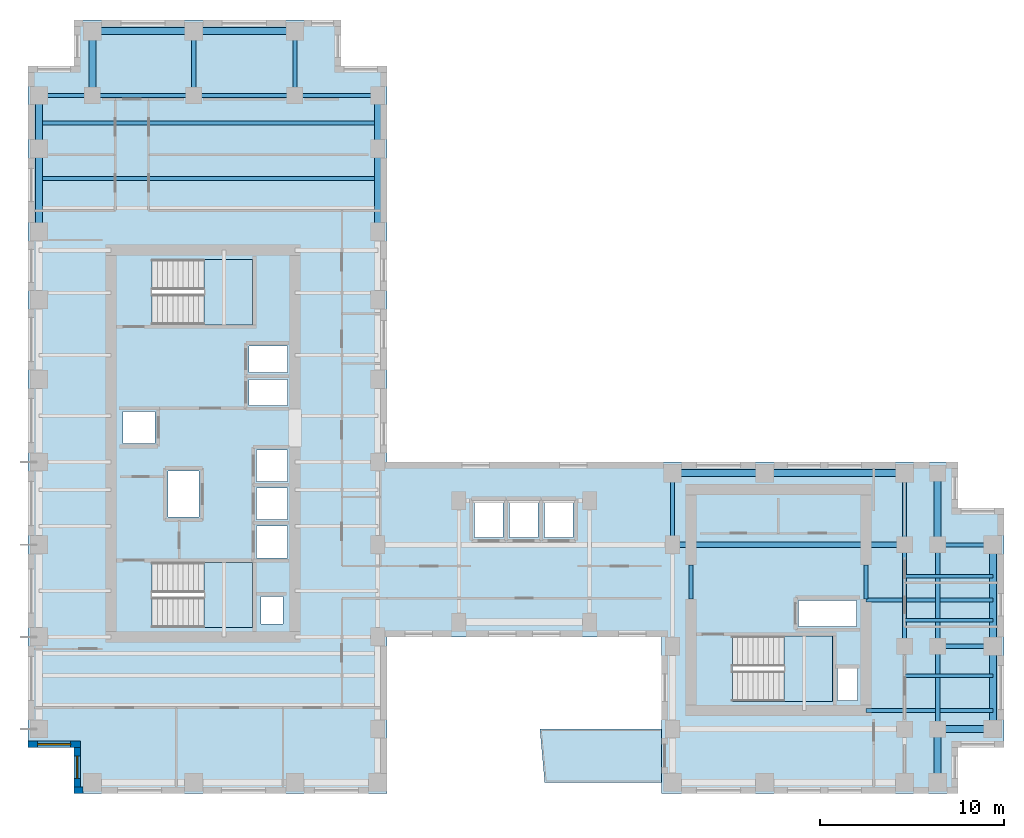
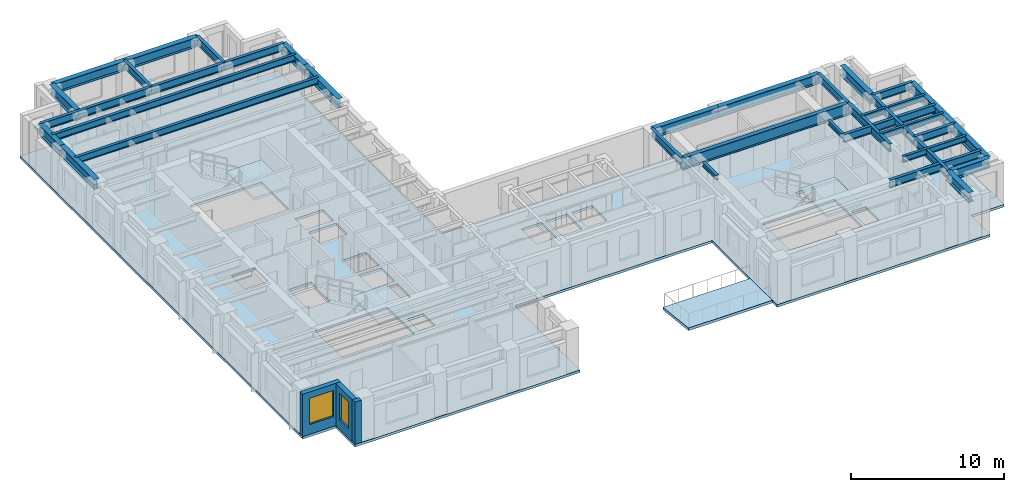
# One storey, part 2 of 11: 37 beams, 5 slabs, 3 walls, 2 windows, 2 openings, 3 elements without a shape of their own.
"""IFC4 building model written with IfcOpenShell, lengths in metres."""

import ifcopenshell
import ifcopenshell.guid

model = None  # the IFC model being written
_history = None  # IfcOwnerHistory: only IFC2X3 demands one
_inside = {}  # id of a spatial element -> (the spatial element, [elements in it])
_under = {}  # id of a project, library or spatial element -> (it, [spatial elements below it])
_declared = {}  # id of a project -> (the project, [libraries it declares])
_typed = {}  # id of a type object -> (the type object, [elements of that type])
_made_of = {}  # id of a material, layer set ... -> (it, [elements and type objects made of it])


def new_model(schema):
    """Start an empty IFC model of exactly this schema.

    Asked for "IFC4X3", IfcOpenShell would pick the latest addendum, in which some entities
    have other attributes; the version numbers below select the first issue.
    IFC2X3 requires an IfcOwnerHistory on every rooted entity: one is made here for all.
    """
    global model, _history
    if schema == "IFC4X3":
        model = ifcopenshell.file(schema_version=(4, 3, 0, 0))
    else:
        model = ifcopenshell.file(schema=schema)
    _inside.clear()
    _under.clear()
    _declared.clear()
    _typed.clear()
    _made_of.clear()
    _history = None
    if model.schema == "IFC2X3":
        org = make("IfcOrganization", Name="unknown")
        user = make(
            "IfcPersonAndOrganization",
            ThePerson=make("IfcPerson", FamilyName="unknown"),
            TheOrganization=org,
        )
        app = make(
            "IfcApplication",
            ApplicationDeveloper=org,
            Version="unknown",
            ApplicationFullName="unknown",
            ApplicationIdentifier="unknown",
        )
        _history = make(
            "IfcOwnerHistory",
            OwningUser=user,
            OwningApplication=app,
            ChangeAction="ADDED",
            CreationDate=0,
        )
    return model


def make(cls, **values):
    """One entity of the class cls with the attributes given. An attribute that is None is left unset."""
    return model.create_entity(
        cls, **{name: value for name, value in values.items() if value is not None}
    )


def rooted(cls, **values):
    """An entity with a GlobalId (a new one), such as an element, a storey or a relation."""
    return make(cls, GlobalId=ifcopenshell.guid.new(), OwnerHistory=_history, **values)


def si_unit(unit_type, name, prefix=None):
    """IfcSIUnit, for example si_unit("LENGTHUNIT", "METRE", prefix="MILLI")."""
    return make("IfcSIUnit", UnitType=unit_type, Prefix=prefix, Name=name)


def assignment(units):
    """IfcUnitAssignment: the units of a project."""
    return None if units is None else make("IfcUnitAssignment", Units=units)


def point(xyz):
    """IfcCartesianPoint."""
    return None if xyz is None else make("IfcCartesianPoint", Coordinates=xyz)


def direction(xyz):
    """IfcDirection."""
    return None if xyz is None else make("IfcDirection", DirectionRatios=xyz)


def frame(location, z_axis=None, x_axis=None):
    """IfcAxis2Placement3D, a coordinate frame: its origin and axes. An axis left out is left unset."""
    return make(
        "IfcAxis2Placement3D",
        Location=point(location),
        Axis=direction(z_axis),
        RefDirection=direction(x_axis),
    )


def frame_2d(location, x_axis=None):
    """IfcAxis2Placement2D, a coordinate frame in the plane: its origin and x axis."""
    return make(
        "IfcAxis2Placement2D", Location=point(location), RefDirection=direction(x_axis)
    )


def origin():
    """The frame at (0, 0, 0) with its axes left unset."""
    return frame((0.0, 0.0, 0.0))


def origin_2d():
    """The frame at (0, 0) in the plane with its x axis left unset."""
    return frame_2d((0.0, 0.0))


def place(relative_to, where):
    """IfcLocalPlacement: puts the frame where relative to a parent placement (None: the world)."""
    return make(
        "IfcLocalPlacement", PlacementRelTo=relative_to, RelativePlacement=where
    )


def context(
    kind, dimensions, precision=None, world=None, true_north=None, identifier=None
):
    """IfcGeometricRepresentationContext, for example the 3D "Model" context."""
    return make(
        "IfcGeometricRepresentationContext",
        ContextIdentifier=identifier,
        ContextType=kind,
        CoordinateSpaceDimension=dimensions,
        Precision=precision,
        WorldCoordinateSystem=world,
        TrueNorth=true_north,
    )


def subcontext(parent, identifier, kind, view, scale=None):
    """IfcGeometricRepresentationSubContext, for example "Body" below "Model"."""
    return make(
        "IfcGeometricRepresentationSubContext",
        ContextIdentifier=identifier,
        ContextType=kind,
        ParentContext=parent,
        TargetScale=scale,
        TargetView=view,
    )


def project(units=None, contexts=None):
    """IfcProject with its units and contexts."""
    return rooted(
        "IfcProject",
        Name="project",
        RepresentationContexts=contexts,
        UnitsInContext=assignment(units),
    )


def spatial(cls, under=None, at=None, **own):
    """A site, building, storey or space (cls), placed at a placement, below another one or the project."""
    s = rooted(cls, ObjectPlacement=at, **own)
    if under is not None:
        _under.setdefault(under.id(), (under, []))[1].append(s)
    return s


def polyline(points):
    """IfcPolyline through the points."""
    return make("IfcPolyline", Points=[point(p) for p in points])


def profile(cls, at=None, kind="AREA", **sizes):
    """A parametric profile (cls). Its sizes go by their IFC names, for example OverallWidth=200.0."""
    return make(cls, ProfileType=kind, Position=at, **sizes)


def rectangle(**sizes):
    """IfcRectangleProfileDef."""
    return profile("IfcRectangleProfileDef", **sizes)


def i_section(**sizes):
    """IfcIShapeProfileDef."""
    return profile("IfcIShapeProfileDef", **sizes)


def outline(outer, holes=None, kind="AREA"):
    """IfcArbitraryClosedProfileDef: a profile drawn as a closed curve; with holes, ...WithVoids."""
    if holes is None:
        return make("IfcArbitraryClosedProfileDef", ProfileType=kind, OuterCurve=outer)
    return make(
        "IfcArbitraryProfileDefWithVoids",
        ProfileType=kind,
        OuterCurve=outer,
        InnerCurves=holes,
    )


def extrude(swept, where, along, depth):
    """IfcExtrudedAreaSolid: the profile swept, set in the frame where, extruded along a direction by depth."""
    return make(
        "IfcExtrudedAreaSolid",
        SweptArea=swept,
        Position=where,
        ExtrudedDirection=direction(along),
        Depth=depth,
    )


def shape(context_of_items, identifier, shape_type, items):
    """IfcShapeRepresentation: the items that make up one representation, for example the "Body"."""
    return make(
        "IfcShapeRepresentation",
        ContextOfItems=context_of_items,
        RepresentationIdentifier=identifier,
        RepresentationType=shape_type,
        Items=items,
    )


def source(mapping_origin, context_of_items, identifier, shape_type, items):
    """IfcRepresentationMap: a shape defined once, which mapped items show again and again."""
    return make(
        "IfcRepresentationMap",
        MappingOrigin=mapping_origin,
        MappedRepresentation=shape(context_of_items, identifier, shape_type, items),
    )


def transform(
    local_origin,
    x_axis=None,
    y_axis=None,
    z_axis=None,
    scale=None,
    scale2=None,
    scale3=None,
    uniform=True,
):
    """IfcCartesianTransformationOperator3D, or its non-uniform kind. x_axis, y_axis, z_axis: its Axis1, 2, 3."""
    if uniform:
        return make(
            "IfcCartesianTransformationOperator3D",
            Axis1=direction(x_axis),
            Axis2=direction(y_axis),
            LocalOrigin=point(local_origin),
            Scale=scale,
            Axis3=direction(z_axis),
        )
    return make(
        "IfcCartesianTransformationOperator3DnonUniform",
        Axis1=direction(x_axis),
        Axis2=direction(y_axis),
        LocalOrigin=point(local_origin),
        Scale=scale,
        Axis3=direction(z_axis),
        Scale2=scale2,
        Scale3=scale3,
    )


def mapped(mapping_source, mapping_target):
    """IfcMappedItem: shows the shape of a source again, moved by a transform."""
    return make(
        "IfcMappedItem", MappingSource=mapping_source, MappingTarget=mapping_target
    )


def material(Name=None, Category=None):
    """IfcMaterial."""
    return make("IfcMaterial", Name=Name, Category=Category)


def layer(
    of_material, thickness, ventilated=None, Name=None, Category=None, Priority=None
):
    """IfcMaterialLayer: one layer of a wall or slab, of a material (None: an air gap)."""
    return make(
        "IfcMaterialLayer",
        Material=of_material,
        LayerThickness=thickness,
        IsVentilated=ventilated,
        Name=Name,
        Category=Category,
        Priority=Priority,
    )


def layer_set(layers, Name=None):
    """IfcMaterialLayerSet."""
    return make("IfcMaterialLayerSet", MaterialLayers=layers, LayerSetName=Name)


def material_profile(
    of_material, cross_section, Name=None, Category=None, Priority=None
):
    """IfcMaterialProfile: a cross section and its material."""
    return make(
        "IfcMaterialProfile",
        Name=Name,
        Material=of_material,
        Profile=cross_section,
        Priority=Priority,
        Category=Category,
    )


def profile_set(profiles, Name=None, composite=None):
    """IfcMaterialProfileSet."""
    return make(
        "IfcMaterialProfileSet",
        Name=Name,
        MaterialProfiles=profiles,
        CompositeProfile=composite,
    )


def made_of(thing, what):
    """Note that an element or type object is made of a material, layer set ...; save() writes the relation."""
    if what is not None:
        _made_of.setdefault(what.id(), (what, []))[1].append(thing)
    return thing


def type_object(cls, material=None, **own):
    """A type object (cls), such as IfcWallType, which elements share."""
    return made_of(rooted(cls, **own), material)


def element(
    cls,
    number,
    at=None,
    inside=None,
    cuts=None,
    type_object=None,
    material=None,
    context=None,
    identifier="Body",
    shape_type=None,
    held_by="IfcProductDefinitionShape",
    body=None,
    shapes=None,
    **own,
):
    """One element of the class cls, such as IfcWall. Its Tag is "e" and its number.

    at: its placement. inside: the storey or other place that contains it. cuts: it is an
    opening in that element (IfcRelVoidsElement). A single representation is given by context,
    identifier, shape_type and body (its items); several are given by shapes. held_by: the class
    of the entity that holds the representations. save() writes the other relations.
    """
    e = rooted(cls, Tag="e%d" % number, ObjectPlacement=at, **own)
    if body is not None:
        shapes = [shape(context, identifier, shape_type, body)]
    if shapes is not None:
        e.Representation = make(held_by, Representations=shapes)
    if inside is not None:
        _inside.setdefault(inside.id(), (inside, []))[1].append(e)
    if cuts is not None:
        rooted(
            "IfcRelVoidsElement", RelatingBuildingElement=cuts, RelatedOpeningElement=e
        )
    if type_object is not None:
        _typed.setdefault(type_object.id(), (type_object, []))[1].append(e)
    return made_of(e, material)


def fill(opening, filler):
    """IfcRelFillsElement: the door or window that sits in an opening."""
    return rooted(
        "IfcRelFillsElement",
        RelatingOpeningElement=opening,
        RelatedBuildingElement=filler,
    )


def aggregate(whole, parts):
    """IfcRelAggregates: a whole, such as a stair, and the parts it consists of."""
    return rooted("IfcRelAggregates", RelatingObject=whole, RelatedObjects=parts)


def save(model, path):
    """Write the relations noted so far, then the file.

    IfcRelAggregates (storeys below a building ...), IfcRelContainedInSpatialStructure (elements
    in a storey), IfcRelDefinesByType, IfcRelAssociatesMaterial and IfcRelDeclares: one each for
    every whole, place, type object, material and project.
    """
    for whole, parts in _under.values():
        aggregate(whole, parts)
    for where, things in _inside.values():
        rooted(
            "IfcRelContainedInSpatialStructure",
            RelatedElements=things,
            RelatingStructure=where,
        )
    for kind, things in _typed.values():
        rooted("IfcRelDefinesByType", RelatedObjects=things, RelatingType=kind)
    for what, things in _made_of.values():
        rooted("IfcRelAssociatesMaterial", RelatedObjects=things, RelatingMaterial=what)
    for by, libraries in _declared.values():
        rooted("IfcRelDeclares", RelatingContext=by, RelatedDefinitions=libraries)
    model.write(path)


model = new_model("IFC4")

# Units and contexts
model_context = context("Model", 3, precision=1e-05, world=origin(), true_north=direction((0.0, 1.0)))
body_context = subcontext(model_context, "Body", "Model", "MODEL_VIEW")
ifc_project = project(units=[si_unit("LENGTHUNIT", "METRE"), si_unit("AREAUNIT", "SQUARE_METRE"), si_unit("VOLUMEUNIT", "CUBIC_METRE"), si_unit("PLANEANGLEUNIT", "RADIAN"), si_unit("MASSUNIT", "GRAM", prefix="KILO")], contexts=[model_context])

# Site, building, storey
site_placement = place(None, origin())
site = spatial("IfcSite", under=ifc_project, at=site_placement, CompositionType="ELEMENT")
building_placement = place(site_placement, origin())
building = spatial("IfcBuilding", under=site, at=building_placement, Name="Kharzan Plaza Tower", CompositionType="ELEMENT")
storey_placement = place(building_placement, frame((0.0, 0.0, 193.5)))
storey = spatial("IfcBuildingStorey", under=building, at=storey_placement, Name="L52", CompositionType="ELEMENT", Elevation=193.5)

# Beams
ifc_material_1 = material(Name="Steel S355", Category="steel")
ifc_material_profile_1 = material_profile(ifc_material_1, i_section(OverallWidth=0.205078125, OverallDepth=0.35400390625, WebThickness=0.009521484375, FlangeThickness=0.016845703125, at=origin_2d()), Name="W360x79")
ifc_profile_set_1 = profile_set([ifc_material_profile_1], Name="Steel S355")
beam_type_1 = type_object("IfcBeamType", Name="BM-LNT360", PredefinedType="LINTEL", material=ifc_profile_set_1)
shared_shape_1 = source(origin(), body_context, "Body", "SweptSolid", [
    extrude(i_section(OverallWidth=0.205078125, OverallDepth=0.35400390625, WebThickness=0.009521484375, FlangeThickness=0.016845703125, at=origin_2d()), origin(), (0.0, 0.0, 1.0), 1.849853515625),
])
for number, where, z_axis, x_axis, name in (
    (1, (45.5, 10.550048828125, 3.222900390625), (0.0, 1.0, 0.0), (-1.0, 0.0, 0.0), "L52 CORE-B coupling lintel LN1-WE"),
    (2, (36.0, 10.550048828125, 3.222900390625), (0.0, 1.0, 0.0), (-1.0, 0.0, 0.0), "L52 CORE-B coupling lintel LN1-WW"),
):
    element("IfcBeam", number, at=place(storey_placement, frame(where, z_axis=z_axis, x_axis=x_axis)), inside=storey, type_object=beam_type_1, Name=name, PredefinedType="LINTEL", context=body_context, shape_type="MappedRepresentation", body=[
        mapped(shared_shape_1, transform((0.0, 0.0, 0.0), x_axis=(1.0, 0.0, 0.0), y_axis=(0.0, 1.0, 0.0), z_axis=(0.0, 0.0, 1.0))),
    ])
ifc_material_profile_2 = material_profile(ifc_material_1, i_section(OverallWidth=0.304931640625, OverallDepth=0.9189453125, WebThickness=0.017333984375, FlangeThickness=0.02783203125, at=origin_2d()), Name="W920x253")
ifc_profile_set_2 = profile_set([ifc_material_profile_2], Name="Steel S355")
beam_type_2 = type_object("IfcBeamType", Name="BM-FG920B", PredefinedType="BEAM", material=ifc_profile_set_2)
shared_shape_2 = source(origin(), body_context, "Body", "SweptSolid", [
    extrude(i_section(OverallWidth=0.304931640625, OverallDepth=0.9189453125, WebThickness=0.017333984375, FlangeThickness=0.02783203125, at=origin_2d()), origin(), (0.0, 0.0, 1.0), 12.60009765625),
])
beam_1_placement = place(storey_placement, frame((35.0, 13.5, 2.9404296875), z_axis=(1.0, 0.0, 0.0), x_axis=(0.0, 1.0, 0.0)))
element("IfcBeam", 3, at=beam_1_placement, inside=storey, type_object=beam_type_2, Name="L52 Primary Floor Girder", PredefinedType="BEAM", context=body_context, shape_type="MappedRepresentation", body=[
    mapped(shared_shape_2, transform((0.0, 0.0, 0.0), x_axis=(1.0, 0.0, 0.0), y_axis=(0.0, 1.0, 0.0), z_axis=(0.0, 0.0, 1.0))),
])
ifc_material_profile_3 = material_profile(ifc_material_1, i_section(OverallWidth=0.2099609375, OverallDepth=0.537109375, WebThickness=0.010986328125, FlangeThickness=0.017333984375, at=origin_2d()), Name="W530x101")
ifc_profile_set_3 = profile_set([ifc_material_profile_3], Name="Steel S355")
beam_type_3 = type_object("IfcBeamType", Name="BM-JST530B", PredefinedType="JOIST", material=ifc_profile_set_3)
shared_shape_3 = source(origin(), body_context, "Body", "SweptSolid", [
    extrude(i_section(OverallWidth=0.2099609375, OverallDepth=0.537109375, WebThickness=0.010986328125, FlangeThickness=0.017333984375, at=origin_2d()), origin(), (0.0, 0.0, 1.0), 18.39990234375),
])
for number, where, z_axis, x_axis, name in (
    (4, (0.60009765625, 33.39990234375, 3.131591796875), (1.0, 0.0, 0.0), (0.0, 1.0, 0.0), "L52 Wing A Composite Joist 05"),
    (5, (0.60009765625, 36.39990234375, 3.131591796875), (1.0, 0.0, 0.0), (0.0, 1.0, 0.0), "L52 Wing A Composite Joist 06"),
):
    element("IfcBeam", number, at=place(storey_placement, frame(where, z_axis=z_axis, x_axis=x_axis)), inside=storey, type_object=beam_type_3, Name=name, PredefinedType="JOIST", context=body_context, shape_type="MappedRepresentation", body=[
        mapped(shared_shape_3, transform((0.0, 0.0, 0.0), x_axis=(1.0, 0.0, 0.0), y_axis=(0.0, 1.0, 0.0), z_axis=(0.0, 0.0, 1.0))),
    ])
ifc_material_profile_4 = material_profile(ifc_material_1, i_section(OverallWidth=0.22900390625, OverallDepth=0.612060546875, WebThickness=0.011962890625, FlangeThickness=0.01953125, at=origin_2d()), Name="W610x125")
ifc_profile_set_4 = profile_set([ifc_material_profile_4], Name="Steel S355")
beam_type_4 = type_object("IfcBeamType", Name="BM-FG610B", PredefinedType="BEAM", material=ifc_profile_set_4)
shared_shape_4 = source(origin(), body_context, "Body", "SweptSolid", [
    extrude(i_section(OverallWidth=0.22900390625, OverallDepth=0.612060546875, WebThickness=0.011962890625, FlangeThickness=0.01953125, at=origin_2d()), origin(), (0.0, 0.0, 1.0), 4.5),
])
for number, where, z_axis, x_axis, name in (
    (6, (49.39990234375, 3.5, 3.093994140625), (0.0, 1.0, 0.0), (-1.0, 0.0, 0.0), "L52 Interior Frame Girder"),
    (7, (14.5, 37.89990234375, 3.093994140625), (1.0, 0.0, 0.0), (0.0, 1.0, 0.0), "L52 Primary Floor Girder"),
):
    element("IfcBeam", number, at=place(storey_placement, frame(where, z_axis=z_axis, x_axis=x_axis)), inside=storey, type_object=beam_type_4, Name=name, PredefinedType="BEAM", context=body_context, shape_type="MappedRepresentation", body=[
        mapped(shared_shape_4, transform((0.0, 0.0, 0.0), x_axis=(1.0, 0.0, 0.0), y_axis=(0.0, 1.0, 0.0), z_axis=(0.0, 0.0, 1.0))),
    ])
shared_shape_5 = source(origin(), body_context, "Body", "SweptSolid", [
    extrude(i_section(OverallWidth=0.22900390625, OverallDepth=0.612060546875, WebThickness=0.011962890625, FlangeThickness=0.01953125, at=origin_2d()), origin(), (0.0, 0.0, 1.0), 3.89990234375),
])
for number, where, z_axis, x_axis, name in (
    (8, (35.0, 13.5, 3.093994140625), (0.0, 1.0, 0.0), (-1.0, 0.0, 0.0), "L52 Interior Frame Girder"),
    (9, (47.60009765625, 13.5, 3.093994140625), (0.0, 1.0, 0.0), (-1.0, 0.0, 0.0), "L52 Interior Frame Girder"),
):
    element("IfcBeam", number, at=place(storey_placement, frame(where, z_axis=z_axis, x_axis=x_axis)), inside=storey, type_object=beam_type_4, Name=name, PredefinedType="BEAM", context=body_context, shape_type="MappedRepresentation", body=[
        mapped(shared_shape_5, transform((0.0, 0.0, 0.0), x_axis=(1.0, 0.0, 0.0), y_axis=(0.0, 1.0, 0.0), z_axis=(0.0, 0.0, 1.0))),
    ])
shared_shape_6 = source(origin(), body_context, "Body", "SweptSolid", [
    extrude(i_section(OverallWidth=0.22900390625, OverallDepth=0.612060546875, WebThickness=0.011962890625, FlangeThickness=0.01953125, at=origin_2d()), origin(), (0.0, 0.0, 1.0), 6.89990234375),
])
for number, where, z_axis, x_axis, name in (
    (10, (45.5, 4.5, 3.093994140625), (1.0, 0.0, 0.0), (0.0, 1.0, 0.0), "L52 Core-B East Floor Girder 1"),
    (11, (45.5, 10.5, 3.093994140625), (1.0, 0.0, 0.0), (0.0, 1.0, 0.0), "L52 Core-B East Floor Girder 2"),
):
    element("IfcBeam", number, at=place(storey_placement, frame(where, z_axis=z_axis, x_axis=x_axis)), inside=storey, type_object=beam_type_4, Name=name, PredefinedType="BEAM", context=body_context, shape_type="MappedRepresentation", body=[
        mapped(shared_shape_6, transform((0.0, 0.0, 0.0), x_axis=(1.0, 0.0, 0.0), y_axis=(0.0, 1.0, 0.0), z_axis=(0.0, 0.0, 1.0))),
    ])
shared_shape_7 = source(origin(), body_context, "Body", "SweptSolid", [
    extrude(i_section(OverallWidth=0.22900390625, OverallDepth=0.612060546875, WebThickness=0.011962890625, FlangeThickness=0.01953125, at=origin_2d()), origin(), (0.0, 0.0, 1.0), 3.5),
])
for number, where, z_axis, x_axis, name in (
    (12, (9.0, 37.89990234375, 3.093994140625), (0.0, 1.0, 0.0), (-1.0, 0.0, 0.0), "L52 Interior Frame Girder"),
    (13, (14.5, 37.89990234375, 3.093994140625), (0.0, 1.0, 0.0), (-1.0, 0.0, 0.0), "L52 Interior Frame Girder"),
):
    element("IfcBeam", number, at=place(storey_placement, frame(where, z_axis=z_axis, x_axis=x_axis)), inside=storey, type_object=beam_type_4, Name=name, PredefinedType="BEAM", context=body_context, shape_type="MappedRepresentation", body=[
        mapped(shared_shape_7, transform((0.0, 0.0, 0.0), x_axis=(1.0, 0.0, 0.0), y_axis=(0.0, 1.0, 0.0), z_axis=(0.0, 0.0, 1.0))),
    ])
shared_shape_8 = source(origin(), body_context, "Body", "SweptSolid", [
    extrude(i_section(OverallWidth=0.22900390625, OverallDepth=0.612060546875, WebThickness=0.011962890625, FlangeThickness=0.01953125, at=origin_2d()), origin(), (0.0, 0.0, 1.0), 5.5),
])
for number, where, z_axis, x_axis, name in (
    (14, (47.60009765625, 8.0, 3.093994140625), (0.0, 1.0, 0.0), (-1.0, 0.0, 0.0), "L52 Interior Frame Girder"),
    (15, (49.39990234375, 8.0, 3.093994140625), (0.0, 1.0, 0.0), (-1.0, 0.0, 0.0), "L52 Interior Frame Girder"),
    (16, (3.5, 37.89990234375, 3.093994140625), (1.0, 0.0, 0.0), (0.0, 1.0, 0.0), "L52 Primary Floor Girder"),
    (17, (9.0, 37.89990234375, 3.093994140625), (1.0, 0.0, 0.0), (0.0, 1.0, 0.0), "L52 Primary Floor Girder"),
):
    element("IfcBeam", number, at=place(storey_placement, frame(where, z_axis=z_axis, x_axis=x_axis)), inside=storey, type_object=beam_type_4, Name=name, PredefinedType="BEAM", context=body_context, shape_type="MappedRepresentation", body=[
        mapped(shared_shape_8, transform((0.0, 0.0, 0.0), x_axis=(1.0, 0.0, 0.0), y_axis=(0.0, 1.0, 0.0), z_axis=(0.0, 0.0, 1.0))),
    ])
shared_shape_9 = source(origin(), body_context, "Body", "SweptSolid", [
    extrude(i_section(OverallWidth=0.22900390625, OverallDepth=0.612060546875, WebThickness=0.011962890625, FlangeThickness=0.01953125, at=origin_2d()), origin(), (0.0, 0.0, 1.0), 2.89990234375),
])
beam_2_placement = place(storey_placement, frame((0.60009765625, 37.89990234375, 3.093994140625), z_axis=(1.0, 0.0, 0.0), x_axis=(0.0, 1.0, 0.0)))
element("IfcBeam", 18, at=beam_2_placement, inside=storey, type_object=beam_type_4, Name="L52 Primary Floor Girder", PredefinedType="BEAM", context=body_context, shape_type="MappedRepresentation", body=[
    mapped(shared_shape_9, transform((0.0, 0.0, 0.0), x_axis=(1.0, 0.0, 0.0), y_axis=(0.0, 1.0, 0.0), z_axis=(0.0, 0.0, 1.0))),
])
shared_shape_10 = source(origin(), body_context, "Body", "SweptSolid", [
    extrude(i_section(OverallWidth=0.22900390625, OverallDepth=0.612060546875, WebThickness=0.011962890625, FlangeThickness=0.01953125, at=origin_2d()), origin(), (0.0, 0.0, 1.0), 3.0),
])
for number, where, z_axis, x_axis, name in (
    (19, (49.39990234375, 8.0, 3.093994140625), (1.0, 0.0, 0.0), (0.0, 1.0, 0.0), "L52 Primary Floor Girder"),
    (20, (49.39990234375, 13.5, 3.093994140625), (1.0, 0.0, 0.0), (0.0, 1.0, 0.0), "L52 Primary Floor Girder"),
):
    element("IfcBeam", number, at=place(storey_placement, frame(where, z_axis=z_axis, x_axis=x_axis)), inside=storey, type_object=beam_type_4, Name=name, PredefinedType="BEAM", context=body_context, shape_type="MappedRepresentation", body=[
        mapped(shared_shape_10, transform((0.0, 0.0, 0.0), x_axis=(1.0, 0.0, 0.0), y_axis=(0.0, 1.0, 0.0), z_axis=(0.0, 0.0, 1.0))),
    ])
ifc_material_profile_5 = material_profile(ifc_material_1, i_section(OverallWidth=0.194091796875, OverallDepth=0.468994140625, WebThickness=0.011474609375, FlangeThickness=0.0205078125, at=origin_2d()), Name="W460x106")
ifc_profile_set_5 = profile_set([ifc_material_profile_5], Name="Steel S355")
beam_type_5 = type_object("IfcBeamType", Name="BM-JST460", PredefinedType="JOIST", material=ifc_profile_set_5)
shared_shape_11 = source(origin(), body_context, "Body", "SweptSolid", [
    extrude(i_section(OverallWidth=0.194091796875, OverallDepth=0.468994140625, WebThickness=0.011474609375, FlangeThickness=0.0205078125, at=origin_2d()), origin(), (0.0, 0.0, 1.0), 4.7998046875),
])
for number, where, z_axis, x_axis, name in (
    (21, (47.60009765625, 6.39990234375, 3.16552734375), (1.0, 0.0, 0.0), (0.0, 1.0, 0.0), "L52 Wing B Composite Joist 02"),
    (22, (47.60009765625, 9.39990234375, 3.16552734375), (1.0, 0.0, 0.0), (0.0, 1.0, 0.0), "L52 Wing B Composite Joist 03"),
    (23, (47.60009765625, 11.800048828125, 3.16552734375), (1.0, 0.0, 0.0), (0.0, 1.0, 0.0), "L52 Wing B Composite Joist 04"),
):
    element("IfcBeam", number, at=place(storey_placement, frame(where, z_axis=z_axis, x_axis=x_axis)), inside=storey, type_object=beam_type_5, Name=name, PredefinedType="JOIST", context=body_context, shape_type="MappedRepresentation", body=[
        mapped(shared_shape_11, transform((0.0, 0.0, 0.0), x_axis=(1.0, 0.0, 0.0), y_axis=(0.0, 1.0, 0.0), z_axis=(0.0, 0.0, 1.0))),
    ])
ifc_material_profile_6 = material_profile(ifc_material_1, i_section(OverallWidth=0.381103515625, OverallDepth=0.77294921875, WebThickness=0.0166015625, FlangeThickness=0.027587890625, at=origin_2d()), Name="W760x257")
ifc_profile_set_6 = profile_set([ifc_material_profile_6], Name="Steel S355")
beam_type_6 = type_object("IfcBeamType", Name="BM-SP760A", PredefinedType="SPANDREL", material=ifc_profile_set_6)
shared_shape_12 = source(origin(), body_context, "Body", "SweptSolid", [
    extrude(i_section(OverallWidth=0.381103515625, OverallDepth=0.77294921875, WebThickness=0.0166015625, FlangeThickness=0.027587890625, at=origin_2d()), origin(), (0.0, 0.0, 1.0), 5.0),
])
beam_3_placement = place(storey_placement, frame((35.0, 17.39990234375, 3.013427734375), z_axis=(1.0, 0.0, 0.0), x_axis=(0.0, 1.0, 0.0)))
element("IfcBeam", 24, at=beam_3_placement, inside=storey, type_object=beam_type_6, Name="L52 Perimeter Tube Spandrel", PredefinedType="SPANDREL", context=body_context, shape_type="MappedRepresentation", body=[
    mapped(shared_shape_12, transform((0.0, 0.0, 0.0), x_axis=(1.0, 0.0, 0.0), y_axis=(0.0, 1.0, 0.0), z_axis=(0.0, 0.0, 1.0))),
])
shared_shape_13 = source(origin(), body_context, "Body", "SweptSolid", [
    extrude(i_section(OverallWidth=0.381103515625, OverallDepth=0.77294921875, WebThickness=0.0166015625, FlangeThickness=0.027587890625, at=origin_2d()), origin(), (0.0, 0.0, 1.0), 4.5),
])
for number, where, z_axis, x_axis, name in (
    (25, (0.60009765625, 30.5, 3.013427734375), (0.0, 1.0, 0.0), (-1.0, 0.0, 0.0), "L52 Perimeter Tube Spandrel"),
    (26, (19.0, 30.5, 3.013427734375), (0.0, 1.0, 0.0), (-1.0, 0.0, 0.0), "L52 Perimeter Tube Spandrel"),
    (27, (52.39990234375, 3.5, 3.013427734375), (0.0, 1.0, 0.0), (-1.0, 0.0, 0.0), "L52 Perimeter Tube Spandrel"),
):
    element("IfcBeam", number, at=place(storey_placement, frame(where, z_axis=z_axis, x_axis=x_axis)), inside=storey, type_object=beam_type_6, Name=name, PredefinedType="SPANDREL", context=body_context, shape_type="MappedRepresentation", body=[
        mapped(shared_shape_13, transform((0.0, 0.0, 0.0), x_axis=(1.0, 0.0, 0.0), y_axis=(0.0, 1.0, 0.0), z_axis=(0.0, 0.0, 1.0))),
    ])
shared_shape_14 = source(origin(), body_context, "Body", "SweptSolid", [
    extrude(i_section(OverallWidth=0.381103515625, OverallDepth=0.77294921875, WebThickness=0.0166015625, FlangeThickness=0.027587890625, at=origin_2d()), origin(), (0.0, 0.0, 1.0), 2.89990234375),
])
for number, where, z_axis, x_axis, name in (
    (28, (0.60009765625, 35.0, 3.013427734375), (0.0, 1.0, 0.0), (-1.0, 0.0, 0.0), "L52 Perimeter Tube Spandrel"),
    (29, (19.0, 35.0, 3.013427734375), (0.0, 1.0, 0.0), (-1.0, 0.0, 0.0), "L52 Perimeter Tube Spandrel"),
    (30, (49.39990234375, 0.60009765625, 3.013427734375), (0.0, 1.0, 0.0), (-1.0, 0.0, 0.0), "L52 Perimeter Tube Spandrel"),
):
    element("IfcBeam", number, at=place(storey_placement, frame(where, z_axis=z_axis, x_axis=x_axis)), inside=storey, type_object=beam_type_6, Name=name, PredefinedType="SPANDREL", context=body_context, shape_type="MappedRepresentation", body=[
        mapped(shared_shape_14, transform((0.0, 0.0, 0.0), x_axis=(1.0, 0.0, 0.0), y_axis=(0.0, 1.0, 0.0), z_axis=(0.0, 0.0, 1.0))),
    ])
shared_shape_15 = source(origin(), body_context, "Body", "SweptSolid", [
    extrude(i_section(OverallWidth=0.381103515625, OverallDepth=0.77294921875, WebThickness=0.0166015625, FlangeThickness=0.027587890625, at=origin_2d()), origin(), (0.0, 0.0, 1.0), 3.5),
])
beam_4_placement = place(storey_placement, frame((3.5, 37.89990234375, 3.013427734375), z_axis=(0.0, 1.0, 0.0), x_axis=(-1.0, 0.0, 0.0)))
element("IfcBeam", 31, at=beam_4_placement, inside=storey, type_object=beam_type_6, Name="L52 Perimeter Tube Spandrel", PredefinedType="SPANDREL", context=body_context, shape_type="MappedRepresentation", body=[
    mapped(shared_shape_15, transform((0.0, 0.0, 0.0), x_axis=(1.0, 0.0, 0.0), y_axis=(0.0, 1.0, 0.0), z_axis=(0.0, 0.0, 1.0))),
])
shared_shape_16 = source(origin(), body_context, "Body", "SweptSolid", [
    extrude(i_section(OverallWidth=0.381103515625, OverallDepth=0.77294921875, WebThickness=0.0166015625, FlangeThickness=0.027587890625, at=origin_2d()), origin(), (0.0, 0.0, 1.0), 3.89990234375),
])
beam_5_placement = place(storey_placement, frame((49.39990234375, 13.5, 3.013427734375), z_axis=(0.0, 1.0, 0.0), x_axis=(-1.0, 0.0, 0.0)))
element("IfcBeam", 32, at=beam_5_placement, inside=storey, type_object=beam_type_6, Name="L52 Perimeter Tube Spandrel", PredefinedType="SPANDREL", context=body_context, shape_type="MappedRepresentation", body=[
    mapped(shared_shape_16, transform((0.0, 0.0, 0.0), x_axis=(1.0, 0.0, 0.0), y_axis=(0.0, 1.0, 0.0), z_axis=(0.0, 0.0, 1.0))),
])
shared_shape_17 = source(origin(), body_context, "Body", "SweptSolid", [
    extrude(i_section(OverallWidth=0.381103515625, OverallDepth=0.77294921875, WebThickness=0.0166015625, FlangeThickness=0.027587890625, at=origin_2d()), origin(), (0.0, 0.0, 1.0), 5.5),
])
for number, where, z_axis, x_axis, name in (
    (33, (52.39990234375, 8.0, 3.013427734375), (0.0, 1.0, 0.0), (-1.0, 0.0, 0.0), "L52 Perimeter Tube Spandrel"),
    (34, (3.5, 41.39990234375, 3.013427734375), (1.0, 0.0, 0.0), (0.0, 1.0, 0.0), "L52 Perimeter Tube Spandrel"),
    (35, (9.0, 41.39990234375, 3.013427734375), (1.0, 0.0, 0.0), (0.0, 1.0, 0.0), "L52 Perimeter Tube Spandrel"),
):
    element("IfcBeam", number, at=place(storey_placement, frame(where, z_axis=z_axis, x_axis=x_axis)), inside=storey, type_object=beam_type_6, Name=name, PredefinedType="SPANDREL", context=body_context, shape_type="MappedRepresentation", body=[
        mapped(shared_shape_17, transform((0.0, 0.0, 0.0), x_axis=(1.0, 0.0, 0.0), y_axis=(0.0, 1.0, 0.0), z_axis=(0.0, 0.0, 1.0))),
    ])
shared_shape_18 = source(origin(), body_context, "Body", "SweptSolid", [
    extrude(i_section(OverallWidth=0.381103515625, OverallDepth=0.77294921875, WebThickness=0.0166015625, FlangeThickness=0.027587890625, at=origin_2d()), origin(), (0.0, 0.0, 1.0), 7.60009765625),
])
beam_6_placement = place(storey_placement, frame((40.0, 17.39990234375, 3.013427734375), z_axis=(1.0, 0.0, 0.0), x_axis=(0.0, 1.0, 0.0)))
element("IfcBeam", 36, at=beam_6_placement, inside=storey, type_object=beam_type_6, Name="L52 Perimeter Tube Spandrel", PredefinedType="SPANDREL", context=body_context, shape_type="MappedRepresentation", body=[
    mapped(shared_shape_18, transform((0.0, 0.0, 0.0), x_axis=(1.0, 0.0, 0.0), y_axis=(0.0, 1.0, 0.0), z_axis=(0.0, 0.0, 1.0))),
])
shared_shape_19 = source(origin(), body_context, "Body", "SweptSolid", [
    extrude(i_section(OverallWidth=0.381103515625, OverallDepth=0.77294921875, WebThickness=0.0166015625, FlangeThickness=0.027587890625, at=origin_2d()), origin(), (0.0, 0.0, 1.0), 3.0),
])
beam_7_placement = place(storey_placement, frame((49.39990234375, 3.5, 3.013427734375), z_axis=(1.0, 0.0, 0.0), x_axis=(0.0, 1.0, 0.0)))
element("IfcBeam", 37, at=beam_7_placement, inside=storey, type_object=beam_type_6, Name="L52 Perimeter Tube Spandrel", PredefinedType="SPANDREL", context=body_context, shape_type="MappedRepresentation", body=[
    mapped(shared_shape_19, transform((0.0, 0.0, 0.0), x_axis=(1.0, 0.0, 0.0), y_axis=(0.0, 1.0, 0.0), z_axis=(0.0, 0.0, 1.0))),
])

# Slab
ifc_material_2 = material(Name="Concrete C40/50", Category="concrete")
ifc_layer_1 = layer(ifc_material_2, 0.199951171875)
ifc_layer_set_1 = layer_set([ifc_layer_1], Name="Concrete C40/50")
slab_type_1 = type_object("IfcSlabType", Name="SL-FLOOR-200", PredefinedType="FLOOR", material=ifc_layer_set_1)
slab_1_placement = place(storey_placement, frame((0.0, 0.0, -0.199951171875)))
element("IfcSlab", 38, at=slab_1_placement, inside=storey, type_object=slab_type_1, Name="L52 Composite Structural Floor Slab 200 mm", PredefinedType="FLOOR", context=body_context, shape_type="SweptSolid", body=[
    extrude(outline(polyline([(34.39990234375, 18.0), (19.5, 18.0), (19.5, 39.5), (17.0, 39.5), (17.0, 42.0), (2.5, 42.0), (2.5, 39.5), (0.0, 39.5), (0.0, 2.5), (2.5, 2.5), (2.5, 0.0), (19.5, 0.0), (19.5, 8.5), (34.39990234375, 8.5), (34.39990234375, 0.0), (50.5, 0.0), (50.5, 2.5), (53.0, 2.5), (53.0, 15.5), (50.5, 15.5), (50.5, 18.0), (34.39990234375, 18.0)]), holes=[polyline([(12.199951171875, 9.0), (12.199951171875, 12.550048828125), (6.75, 12.550048828125), (6.75, 9.0), (12.199951171875, 9.0)]), polyline([(14.10009765625, 12.800048828125), (14.10009765625, 14.530029296875), (12.39990234375, 14.530029296875), (12.39990234375, 12.800048828125), (14.10009765625, 12.800048828125)]), polyline([(14.10009765625, 14.8701171875), (14.10009765625, 16.60009765625), (12.39990234375, 16.60009765625), (12.39990234375, 14.8701171875), (14.10009765625, 14.8701171875)]), polyline([(9.300048828125, 15.0), (9.300048828125, 17.5), (7.60009765625, 17.5), (7.60009765625, 15.0), (9.300048828125, 15.0)]), polyline([(6.89990234375, 19.010009765625), (6.89990234375, 20.72998046875), (5.14990234375, 20.72998046875), (5.14990234375, 19.010009765625), (6.89990234375, 19.010009765625)]), polyline([(14.10009765625, 21.070068359375), (14.10009765625, 22.489990234375), (12.0, 22.489990234375), (12.0, 21.070068359375), (14.10009765625, 21.070068359375)]), polyline([(14.10009765625, 22.8701171875), (14.10009765625, 24.2900390625), (12.0, 24.2900390625), (12.0, 22.8701171875), (14.10009765625, 22.8701171875)]), polyline([(12.199951171875, 25.449951171875), (12.199951171875, 29.0), (6.75, 29.0), (6.75, 25.449951171875), (12.199951171875, 25.449951171875)]), polyline([(45.050048828125, 5.050048828125), (45.050048828125, 6.800048828125), (43.949951171875, 6.800048828125), (43.949951171875, 5.050048828125), (45.050048828125, 5.050048828125)]), polyline([(43.699951171875, 5.0), (43.699951171875, 8.550048828125), (38.25, 8.550048828125), (38.25, 5.0), (43.699951171875, 5.0)]), polyline([(45.0, 9.070068359375), (45.0, 10.469970703125), (41.85009765625, 10.469970703125), (41.85009765625, 9.070068359375), (45.0, 9.070068359375)]), polyline([(13.85009765625, 9.199951171875), (13.85009765625, 10.699951171875), (12.64990234375, 10.699951171875), (12.64990234375, 9.199951171875), (13.85009765625, 9.199951171875)]), polyline([(25.800048828125, 13.89990234375), (25.800048828125, 15.85009765625), (24.25, 15.85009765625), (24.25, 13.89990234375), (25.800048828125, 13.89990234375)]), polyline([(27.699951171875, 13.89990234375), (27.699951171875, 15.85009765625), (26.14990234375, 15.85009765625), (26.14990234375, 13.89990234375), (27.699951171875, 13.89990234375)]), polyline([(29.60009765625, 13.89990234375), (29.60009765625, 15.85009765625), (28.050048828125, 15.85009765625), (28.050048828125, 13.89990234375), (29.60009765625, 13.89990234375)]), polyline([(14.10009765625, 16.93994140625), (14.10009765625, 18.64990234375), (12.39990234375, 18.64990234375), (12.39990234375, 16.93994140625), (14.10009765625, 16.93994140625)])]), origin(), (0.0, 0.0, 1.0), 0.199951171875),
])

# Stair, slab
stair_type_1 = type_object("IfcStairType", Name="STR-ST-1", PredefinedType="HALF_TURN_STAIR", material=ifc_material_2)
stair_1_placement = place(storey_placement, origin())
stair_1 = element("IfcStair", 39, at=stair_1_placement, inside=storey, type_object=stair_type_1, Name="L52 Protected Exit Stair ST-1", PredefinedType="HALF_TURN_STAIR")
ifc_layer_2 = layer(ifc_material_2, 0.219970703125)
ifc_layer_set_2 = layer_set([ifc_layer_2], Name="Concrete C40/50")
slab_type_2 = type_object("IfcSlabType", Name="SL-LANDING-220", PredefinedType="LANDING", material=ifc_layer_set_2)
slab_2_placement = place(storey_placement, frame((0.0, 0.0, 1.60009765625)))
slab_2 = element("IfcSlab", 40, at=slab_2_placement, type_object=slab_type_2, Name="ST-1 landing 1", PredefinedType="LANDING", context=body_context, shape_type="SweptSolid", body=[
    extrude(outline(polyline([(9.550048828125, 9.0), (12.199951171875, 9.0), (12.199951171875, 12.550048828125), (9.550048828125, 12.550048828125), (9.550048828125, 9.0)])), origin(), (0.0, 0.0, 1.0), 0.199951171875),
])
aggregate(stair_1, [slab_2])

stair_type_2 = type_object("IfcStairType", Name="STR-ST-2", PredefinedType="HALF_TURN_STAIR", material=ifc_material_2)
stair_2_placement = place(storey_placement, origin())
stair_2 = element("IfcStair", 41, at=stair_2_placement, inside=storey, type_object=stair_type_2, Name="L52 Protected Exit Stair ST-2", PredefinedType="HALF_TURN_STAIR")
slab_3_placement = place(storey_placement, frame((0.0, 0.0, 1.60009765625)))
slab_3 = element("IfcSlab", 42, at=slab_3_placement, type_object=slab_type_2, Name="ST-2 landing 1", PredefinedType="LANDING", context=body_context, shape_type="SweptSolid", body=[
    extrude(outline(polyline([(9.550048828125, 25.449951171875), (12.199951171875, 25.449951171875), (12.199951171875, 29.0), (9.550048828125, 29.0), (9.550048828125, 25.449951171875)])), origin(), (0.0, 0.0, 1.0), 0.199951171875),
])
aggregate(stair_2, [slab_3])

stair_type_3 = type_object("IfcStairType", Name="STR-ST-3", PredefinedType="HALF_TURN_STAIR", material=ifc_material_2)
stair_3_placement = place(storey_placement, origin())
stair_3 = element("IfcStair", 43, at=stair_3_placement, inside=storey, type_object=stair_type_3, Name="L52 Protected Exit Stair ST-3", PredefinedType="HALF_TURN_STAIR")
slab_4_placement = place(storey_placement, frame((0.0, 0.0, 1.60009765625)))
slab_4 = element("IfcSlab", 44, at=slab_4_placement, type_object=slab_type_2, Name="ST-3 landing 1", PredefinedType="LANDING", context=body_context, shape_type="SweptSolid", body=[
    extrude(outline(polyline([(41.050048828125, 5.0), (43.699951171875, 5.0), (43.699951171875, 8.550048828125), (41.050048828125, 8.550048828125), (41.050048828125, 5.0)])), origin(), (0.0, 0.0, 1.0), 0.199951171875),
])
aggregate(stair_3, [slab_4])

# Slab
ifc_layer_3 = layer(ifc_material_2, 0.215087890625)
ifc_layer_set_3 = layer_set([ifc_layer_3], Name="Concrete C40/50")
slab_type_3 = type_object("IfcSlabType", Name="SL-TRAY-215", PredefinedType="ROOF", material=ifc_layer_set_3)
slab_5_placement = place(storey_placement, frame((0.0, 0.0, -0.215087890625)))
element("IfcSlab", 45, at=slab_5_placement, inside=storey, type_object=slab_type_3, Name="L52 Sky Terrace Tray Slab", PredefinedType="ROOF", context=body_context, shape_type="SweptSolid", body=[
    extrude(outline(polyline([(28.06396484375, 0.60009765625), (34.39990234375, 0.60009765625), (34.39990234375, 3.5), (27.800048828125, 3.5), (28.06396484375, 0.60009765625)])), origin(), (0.0, 0.0, 1.0), 0.215087890625),
])

# Wall, opening, window
ifc_layer_4 = layer(ifc_material_2, 0.35009765625)
ifc_layer_set_4 = layer_set([ifc_layer_4], Name="Concrete C40/50")
wall_type = type_object("IfcWallType", Name="WL-EXT-MAS-Z3", PredefinedType="SOLIDWALL", material=ifc_layer_set_4)
wall_1_placement = place(storey_placement, frame((0.0, 2.675048828125, 0.0), z_axis=(0.0, 0.0, 1.0), x_axis=(1.0, 0.0, 0.0)))
wall_1 = element("IfcWall", 46, at=wall_1_placement, inside=storey, type_object=wall_type, Name="L52 Masonry-Frame Exterior Wall 18", PredefinedType="SOLIDWALL", context=body_context, shape_type="SweptSolid", body=[
    extrude(rectangle(XDim=2.85009765625, YDim=0.35009765625, at=frame_2d((1.425048828125, 0.0))), origin(), (0.0, 0.0, 1.0), 3.385009765625),
])
opening_1_placement = place(wall_1_placement, frame((0.52490234375, 0.0, 0.780029296875)))
opening_1 = element("IfcOpeningElement", 47, at=opening_1_placement, cuts=wall_1, Name="Opening W1", PredefinedType="OPENING", context=body_context, shape_type="SweptSolid", body=[
    extrude(rectangle(XDim=1.800048828125, YDim=2.10009765625, at=frame_2d((0.89990234375, 1.050048828125))), frame((0.0, 0.18505859375, 0.0), z_axis=(0.0, -1.0, 0.0), x_axis=(1.0, 0.0, 0.0)), (0.0, 0.0, 1.0), 0.3701171875),
])
ifc_material_3 = material(Name="Low-E Double Glazing", Category="glass")
window_type_1 = type_object("IfcWindowType", Name="WN-REC-1800x2100", PartitioningType="SINGLE_PANEL", PredefinedType="WINDOW", material=ifc_material_3)
shared_shape_20 = source(origin(), body_context, "Body", "SweptSolid", [
    extrude(rectangle(XDim=1.800048828125, YDim=2.10009765625, at=frame_2d((0.89990234375, 1.050048828125))), frame((0.0, 0.030029296875, 0.0), z_axis=(0.0, -1.0, 0.0), x_axis=(1.0, 0.0, 0.0)), (0.0, 0.0, 1.0), 0.06005859375),
])
window_1_placement = place(opening_1_placement, origin())
window_1 = element("IfcWindow", 48, at=window_1_placement, inside=storey, type_object=window_type_1, Name="L52 Recessed Solar-Control Window 18-1", OverallHeight=2.10009765625, OverallWidth=1.800048828125, PartitioningType="SINGLE_PANEL", PredefinedType="WINDOW", context=body_context, shape_type="MappedRepresentation", body=[
    mapped(shared_shape_20, transform((0.0, 0.0, 0.0), x_axis=(1.0, 0.0, 0.0), y_axis=(0.0, 1.0, 0.0), z_axis=(0.0, 0.0, 1.0))),
])
fill(opening_1, window_1)

wall_2_placement = place(storey_placement, frame((2.675048828125, 2.501953125, 0.0), z_axis=(0.0, 0.0, 1.0), x_axis=(0.0, -1.0, 0.0)))
wall_2 = element("IfcWall", 49, at=wall_2_placement, inside=storey, type_object=wall_type, Name="L52 Masonry-Frame Exterior Wall 19", PredefinedType="SOLIDWALL", context=body_context, shape_type="SweptSolid", body=[
    extrude(rectangle(XDim=2.154052734375, YDim=0.35009765625, at=frame_2d((1.0771484375, 0.0))), origin(), (0.0, 0.0, 1.0), 3.385009765625),
])
opening_2_placement = place(wall_2_placement, frame((0.47705078125, 0.0, 0.780029296875)))
opening_2 = element("IfcOpeningElement", 50, at=opening_2_placement, cuts=wall_2, Name="Opening W3", PredefinedType="OPENING", context=body_context, shape_type="SweptSolid", body=[
    extrude(rectangle(XDim=1.199951171875, YDim=2.10009765625, at=frame_2d((0.60009765625, 1.050048828125))), frame((0.0, 0.18505859375, 0.0), z_axis=(0.0, -1.0, 0.0), x_axis=(1.0, 0.0, 0.0)), (0.0, 0.0, 1.0), 0.3701171875),
])
window_type_2 = type_object("IfcWindowType", Name="WN-REC-1200x2100", PartitioningType="SINGLE_PANEL", PredefinedType="WINDOW", material=ifc_material_3)
shared_shape_21 = source(origin(), body_context, "Body", "SweptSolid", [
    extrude(rectangle(XDim=1.199951171875, YDim=2.10009765625, at=frame_2d((0.60009765625, 1.050048828125))), frame((0.0, 0.030029296875, 0.0), z_axis=(0.0, -1.0, 0.0), x_axis=(1.0, 0.0, 0.0)), (0.0, 0.0, 1.0), 0.06005859375),
])
window_2_placement = place(opening_2_placement, origin())
window_2 = element("IfcWindow", 51, at=window_2_placement, inside=storey, type_object=window_type_2, Name="L52 Recessed Solar-Control Window 19-1", OverallHeight=2.10009765625, OverallWidth=1.199951171875, PartitioningType="SINGLE_PANEL", PredefinedType="WINDOW", context=body_context, shape_type="MappedRepresentation", body=[
    mapped(shared_shape_21, transform((0.0, 0.0, 0.0), x_axis=(1.0, 0.0, 0.0), y_axis=(0.0, 1.0, 0.0), z_axis=(0.0, 0.0, 1.0))),
])
fill(opening_2, window_2)

# Wall
shared_shape_22 = source(origin(), body_context, "Body", "SweptSolid", [
    extrude(rectangle(XDim=0.501953125, YDim=0.35009765625, at=frame_2d((0.2509765625, 0.0))), origin(), (0.0, 0.0, 1.0), 3.385009765625),
])
wall_3_placement = place(storey_placement, frame((2.5, 0.175048828125, 0.0), z_axis=(0.0, 0.0, 1.0), x_axis=(1.0, 0.0, 0.0)))
element("IfcWall", 52, at=wall_3_placement, inside=storey, type_object=wall_type, Name="L52 Masonry-Frame Exterior Wall 20", PredefinedType="SOLIDWALL", context=body_context, shape_type="MappedRepresentation", body=[
    mapped(shared_shape_22, transform((0.0, 0.0, 0.0), x_axis=(1.0, 0.0, 0.0), y_axis=(0.0, 1.0, 0.0), z_axis=(0.0, 0.0, 1.0))),
])

save(model, "model.ifc")
